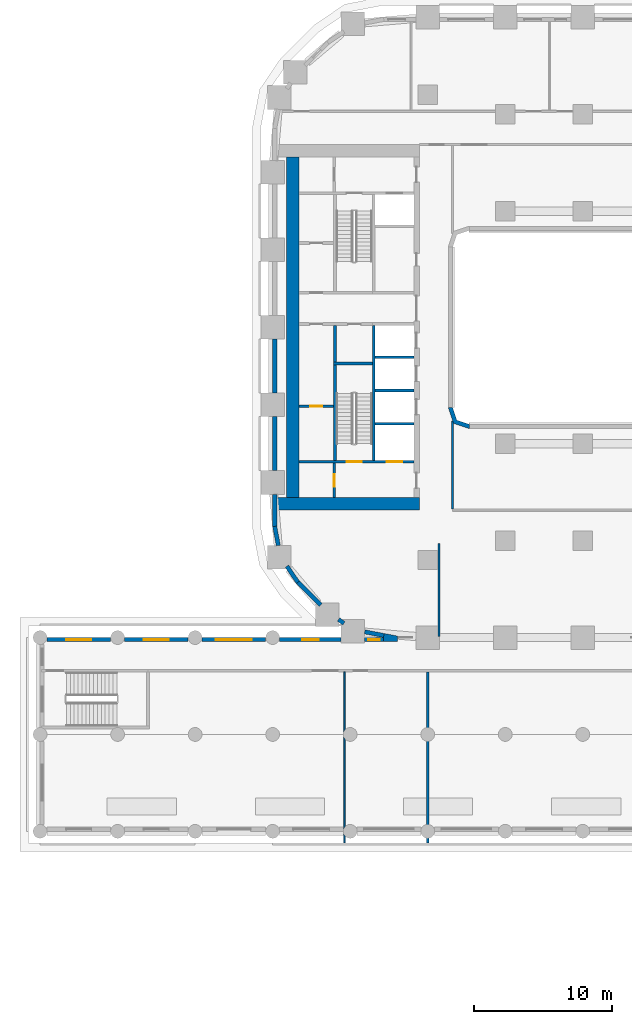
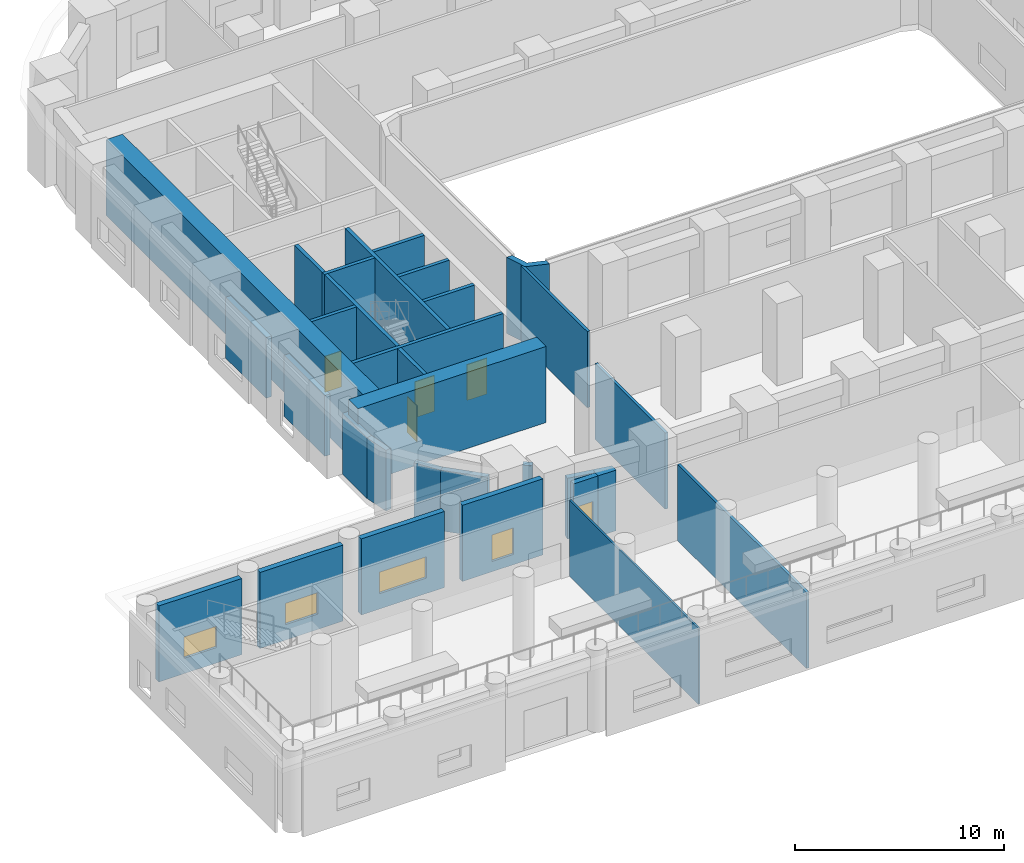
# One storey, part 20 of 35: 31 walls, 5 windows, 4 doors, 9 openings.
"""IFC4 building model written with IfcOpenShell, lengths in metres."""

from ifc_helpers import new_model, si_unit, direction, frame, frame_2d, origin, place, context, subcontext, project, spatial, polyline, rectangle, outline, extrude, material, layer, layer_set, type_object, element, fill, save


model = new_model("IFC4")

# Units and contexts
model_context = context("Model", 3, precision=1e-05, world=origin(), true_north=direction((0.0, 1.0)))
body_context = subcontext(model_context, "Body", "Model", "MODEL_VIEW")
ifc_project = project(units=[si_unit("LENGTHUNIT", "METRE"), si_unit("AREAUNIT", "SQUARE_METRE"), si_unit("VOLUMEUNIT", "CUBIC_METRE"), si_unit("PLANEANGLEUNIT", "RADIAN"), si_unit("MASSUNIT", "GRAM", prefix="KILO")], contexts=[model_context])

# Site, building, storey
site_placement = place(None, origin())
site = spatial("IfcSite", under=ifc_project, at=site_placement, CompositionType="ELEMENT")
building_placement = place(site_placement, origin())
building = spatial("IfcBuilding", under=site, at=building_placement, Name="Kiln Ring Residences", CompositionType="ELEMENT")
storey_placement = place(building_placement, frame((0.0, 0.0, 20.89990234375)))
storey = spatial("IfcBuildingStorey", under=building, at=storey_placement, Name="L04", CompositionType="ELEMENT", Elevation=20.89990234375)

# Wall
ifc_material_1 = material(Name="Gypsum board on steel studs", Category="steel")
ifc_layer_1 = layer(ifc_material_1, 0.199951171875)
ifc_layer_set_1 = layer_set([ifc_layer_1], Name="CORE-PARTITION-200")
wall_type_1 = type_object("IfcWallType", Name="CORE-PARTITION-200", PredefinedType="PARTITIONING", material=ifc_layer_set_1)
wall_1_placement = place(storey_placement, frame((-23.5, -2.5, 0.0), z_axis=(0.0, 0.0, 1.0), x_axis=(0.0, 1.0, 0.0)))
element("IfcWall", 1, at=wall_1_placement, inside=storey, type_object=wall_type_1, Name="Core partition west L04 1", PredefinedType="PARTITIONING", context=body_context, shape_type="SweptSolid", body=[
    extrude(rectangle(XDim=2.64990234375, YDim=0.199951171875, at=frame_2d((1.324951171875, 0.0))), origin(), (0.0, 0.0, 1.0), 4.4501953125),
])

# Wall, opening, door
wall_2_placement = place(storey_placement, frame((-23.550048828125, -12.300048828125, 0.0), z_axis=(0.0, 0.0, 1.0), x_axis=(0.0, 1.0, 0.0)))
wall_2 = element("IfcWall", 2, at=wall_2_placement, inside=storey, type_object=wall_type_1, Name="Core partition west L04 4", PredefinedType="PARTITIONING", context=body_context, shape_type="SweptSolid", body=[
    extrude(rectangle(XDim=2.5, YDim=0.199951171875, at=frame_2d((1.25, 0.0))), origin(), (0.0, 0.0, 1.0), 4.4501953125),
])
opening_1_placement = place(wall_2_placement, frame((0.800048828125, 0.0, 0.0)))
opening_1 = element("IfcOpeningElement", 3, at=opening_1_placement, cuts=wall_2, Name="Opening L04-CW10", PredefinedType="OPENING", context=body_context, shape_type="SweptSolid", body=[
    extrude(rectangle(XDim=0.89990234375, YDim=2.10009765625, at=frame_2d((0.449951171875, 1.050048828125))), frame((0.0, 0.10986328125, 0.0), z_axis=(0.0, -1.0, 0.0), x_axis=(1.0, 0.0, 0.0)), (0.0, 0.0, 1.0), 0.219970703125),
])
ifc_material_2 = material(Name="Steel door leaf", Category="steel")
door_type_1 = type_object("IfcDoorType", Name="CORE-DOOR-ROOM", OperationType="SINGLE_SWING_LEFT", PredefinedType="DOOR", material=ifc_material_2)
door_1_placement = place(opening_1_placement, origin())
door_1 = element("IfcDoor", 4, at=door_1_placement, inside=storey, type_object=door_type_1, Name="Store L04-CW10", OperationType="SINGLE_SWING_RIGHT", OverallHeight=2.10009765625, OverallWidth=0.89990234375, PredefinedType="DOOR", context=body_context, shape_type="SweptSolid", body=[
    extrude(rectangle(XDim=0.89990234375, YDim=2.10009765625, at=frame_2d((0.449951171875, 1.050048828125))), frame((0.0, 0.02490234375, 0.0), z_axis=(0.0, -1.0, 0.0), x_axis=(1.0, 0.0, 0.0)), (0.0, 0.0, 1.0), 0.050048828125),
])
fill(opening_1, door_1)

wall_3_placement = place(storey_placement, frame((-23.60009765625, -5.699951171875, 0.0), z_axis=(0.0, 0.0, 1.0), x_axis=(-1.0, 0.0, 0.0)))
wall_3 = element("IfcWall", 5, at=wall_3_placement, inside=storey, type_object=wall_type_1, Name="Core partition west L04 5", PredefinedType="PARTITIONING", context=body_context, shape_type="SweptSolid", body=[
    extrude(rectangle(XDim=2.5, YDim=0.199951171875, at=frame_2d((1.25, 0.0))), origin(), (0.0, 0.0, 1.0), 4.4501953125),
])
opening_2_placement = place(wall_3_placement, frame((0.800048828125, 0.0, 0.0)))
opening_2 = element("IfcOpeningElement", 6, at=opening_2_placement, cuts=wall_3, Name="Opening L04-CW15", PredefinedType="OPENING", context=body_context, shape_type="SweptSolid", body=[
    extrude(rectangle(XDim=0.89990234375, YDim=2.10009765625, at=frame_2d((0.449951171875, 1.050048828125))), frame((0.0, 0.10986328125, 0.0), z_axis=(0.0, -1.0, 0.0), x_axis=(1.0, 0.0, 0.0)), (0.0, 0.0, 1.0), 0.219970703125),
])
door_2_placement = place(opening_2_placement, origin())
door_2 = element("IfcDoor", 7, at=door_2_placement, inside=storey, type_object=door_type_1, Name="Battery room L04-CW15", OperationType="SINGLE_SWING_RIGHT", OverallHeight=2.10009765625, OverallWidth=0.89990234375, PredefinedType="DOOR", context=body_context, shape_type="SweptSolid", body=[
    extrude(rectangle(XDim=0.89990234375, YDim=2.10009765625, at=frame_2d((0.449951171875, 1.050048828125))), frame((0.0, 0.02490234375, 0.0), z_axis=(0.0, -1.0, 0.0), x_axis=(1.0, 0.0, 0.0)), (0.0, 0.0, 1.0), 0.050048828125),
])
fill(opening_2, door_2)

# Walls
ifc_material_3 = material(Name="Gypsum shaft wall system")
ifc_layer_2 = layer(ifc_material_3, 0.199951171875)
ifc_layer_set_2 = layer_set([ifc_layer_2], Name="CORE-SHAFT-WALL-200")
wall_type_2 = type_object("IfcWallType", Name="CORE-SHAFT-WALL-200", PredefinedType="PARTITIONING", material=ifc_layer_set_2)
for number, where, z_axis, x_axis, name in (
    (8, (-17.800048828125, -6.949951171875, 0.0), (0.0, 0.0, 1.0), (-1.0, 0.0, 0.0), "Core partition west L04 7"),
    (9, (-17.800048828125, -4.550048828125, 0.0), (0.0, 0.0, 1.0), (-1.0, 0.0, 0.0), "Core partition west L04 8"),
    (10, (-17.800048828125, -2.14990234375, 0.0), (0.0, 0.0, 1.0), (-1.0, 0.0, 0.0), "Core partition west L04 9"),
):
    element("IfcWall", number, at=place(storey_placement, frame(where, z_axis=z_axis, x_axis=x_axis)), inside=storey, type_object=wall_type_2, Name=name, PredefinedType="PARTITIONING", context=body_context, shape_type="SweptSolid", body=[
        extrude(rectangle(XDim=2.800048828125, YDim=0.199951171875, at=frame_2d((1.39990234375, 0.0))), origin(), (0.0, 0.0, 1.0), 4.4501953125),
    ])
ifc_material_4 = material(Name="Concrete C40/50", Category="concrete")
ifc_layer_3 = layer(ifc_material_4, 0.199951171875)
ifc_layer_set_3 = layer_set([ifc_layer_3], Name="CORE-WALL-RC200")
wall_type_3 = type_object("IfcWallType", Name="CORE-WALL-RC200", PredefinedType="SHEAR", material=ifc_layer_set_3)
wall_4_placement = place(storey_placement, frame((-20.699951171875, -9.60009765625, 0.0), z_axis=(0.0, 0.0, 1.0), x_axis=(0.0, 1.0, 0.0)))
element("IfcWall", 11, at=wall_4_placement, inside=storey, type_object=wall_type_3, Name="Core wall west L04 2", PredefinedType="SHEAR", context=body_context, shape_type="SweptSolid", body=[
    extrude(rectangle(XDim=9.75, YDim=0.199951171875, at=frame_2d((4.875, 0.0))), origin(), (0.0, 0.0, 1.0), 4.4501953125),
])

# Wall, openings, doors
wall_5_placement = place(storey_placement, frame((-17.800048828125, -9.699951171875, 0.0), z_axis=(0.0, 0.0, 1.0), x_axis=(-1.0, 0.0, 0.0)))
wall_5 = element("IfcWall", 12, at=wall_5_placement, inside=storey, type_object=wall_type_3, Name="Core wall west L04 8", PredefinedType="SHEAR", context=body_context, shape_type="SweptSolid", body=[
    extrude(rectangle(XDim=8.300048828125, YDim=0.199951171875, at=frame_2d((4.14990234375, 0.0))), origin(), (0.0, 0.0, 1.0), 4.4501953125),
])
opening_3_placement = place(wall_5_placement, frame((0.85009765625, 0.0, 0.0)))
opening_3 = element("IfcOpeningElement", 13, at=opening_3_placement, cuts=wall_5, Name="Opening L04-CW01", PredefinedType="OPENING", context=body_context, shape_type="SweptSolid", body=[
    extrude(rectangle(XDim=1.10009765625, YDim=2.10009765625, at=frame_2d((0.550048828125, 1.050048828125))), frame((0.0, 0.10986328125, 0.0), z_axis=(0.0, -1.0, 0.0), x_axis=(1.0, 0.0, 0.0)), (0.0, 0.0, 1.0), 0.219970703125),
])
opening_4_placement = place(wall_5_placement, frame((3.75, 0.0, 0.0)))
opening_4 = element("IfcOpeningElement", 14, at=opening_4_placement, cuts=wall_5, Name="Opening L04-CW12", PredefinedType="OPENING", context=body_context, shape_type="SweptSolid", body=[
    extrude(rectangle(XDim=1.10009765625, YDim=2.10009765625, at=frame_2d((0.550048828125, 1.050048828125))), frame((0.0, 0.10986328125, 0.0), z_axis=(0.0, -1.0, 0.0), x_axis=(1.0, 0.0, 0.0)), (0.0, 0.0, 1.0), 0.219970703125),
])
ifc_material_5 = material(Name="Steel door leaf", Category="steel")
door_type_2 = type_object("IfcDoorType", Name="CORE-DOOR-LD", OperationType="DOUBLE_DOOR_SLIDING", PredefinedType="DOOR", material=ifc_material_5)
door_3_placement = place(opening_3_placement, origin())
door_3 = element("IfcDoor", 15, at=door_3_placement, inside=storey, type_object=door_type_2, Name="LD W-SV L04-CW01", OperationType="DOUBLE_DOOR_SLIDING", OverallHeight=2.10009765625, OverallWidth=1.10009765625, PredefinedType="DOOR", context=body_context, shape_type="SweptSolid", body=[
    extrude(rectangle(XDim=1.10009765625, YDim=2.10009765625, at=frame_2d((0.550048828125, 1.050048828125))), frame((0.0, 0.02490234375, 0.0), z_axis=(0.0, -1.0, 0.0), x_axis=(1.0, 0.0, 0.0)), (0.0, 0.0, 1.0), 0.050048828125),
])
fill(opening_3, door_3)
ifc_material_6 = material(Name="Steel door leaf", Category="steel")
door_type_3 = type_object("IfcDoorType", Name="CORE-DOOR-STAIR", OperationType="SINGLE_SWING_LEFT", PredefinedType="DOOR", material=ifc_material_6)
door_4_placement = place(opening_4_placement, origin())
door_4 = element("IfcDoor", 16, at=door_4_placement, inside=storey, type_object=door_type_3, Name="Stair W-STS L04-CW12", OperationType="SINGLE_SWING_LEFT", OverallHeight=2.10009765625, OverallWidth=1.10009765625, PredefinedType="DOOR", context=body_context, shape_type="SweptSolid", body=[
    extrude(rectangle(XDim=1.10009765625, YDim=2.10009765625, at=frame_2d((0.550048828125, 1.050048828125))), frame((0.0, 0.02490234375, 0.0), z_axis=(0.0, -1.0, 0.0), x_axis=(1.0, 0.0, 0.0)), (0.0, 0.0, 1.0), 0.050048828125),
])
fill(opening_4, door_4)

# Walls
wall_6_placement = place(storey_placement, frame((-23.5, -9.60009765625, 0.0), z_axis=(0.0, 0.0, 1.0), x_axis=(0.0, 1.0, 0.0)))
element("IfcWall", 17, at=wall_6_placement, inside=storey, type_object=wall_type_3, Name="Core wall west L04 11", PredefinedType="SHEAR", context=body_context, shape_type="SweptSolid", body=[
    extrude(rectangle(XDim=6.900146484375, YDim=0.199951171875, at=frame_2d((3.4501953125, 0.0))), origin(), (0.0, 0.0, 1.0), 4.4501953125),
])
wall_7_placement = place(storey_placement, frame((-20.800048828125, -2.60009765625, 0.0), z_axis=(0.0, 0.0, 1.0), x_axis=(-1.0, 0.0, 0.0)))
element("IfcWall", 18, at=wall_7_placement, inside=storey, type_object=wall_type_3, Name="Core wall west L04 12", PredefinedType="SHEAR", context=body_context, shape_type="SweptSolid", body=[
    extrude(rectangle(XDim=2.800048828125, YDim=0.199951171875, at=frame_2d((1.39990234375, 0.0))), origin(), (0.0, 0.0, 1.0), 4.4501953125),
])
ifc_material_7 = material(Name="Concrete C60/75", Category="concrete")
ifc_layer_4 = layer(ifc_material_7, 0.89990234375)
ifc_layer_set_4 = layer_set([ifc_layer_4], Name="CORE-WALL-RC900")
wall_type_4 = type_object("IfcWallType", Name="CORE-WALL-RC900", PredefinedType="SHEAR", material=ifc_layer_set_4)
wall_8_placement = place(storey_placement, frame((-17.39990234375, -12.75, 0.0), z_axis=(0.0, 0.0, 1.0), x_axis=(-1.0, 0.0, 0.0)))
element("IfcWall", 19, at=wall_8_placement, inside=storey, type_object=wall_type_4, Name="Core wall west L04 5", PredefinedType="SHEAR", context=body_context, shape_type="SweptSolid", body=[
    extrude(rectangle(XDim=10.400146484375, YDim=0.89990234375, at=frame_2d((5.2001953125, 0.0))), origin(), (0.0, 0.0, 1.0), 4.4501953125),
])
wall_9_placement = place(storey_placement, frame((-26.550048828125, -12.300048828125, 0.0), z_axis=(0.0, 0.0, 1.0), x_axis=(0.0, 1.0, 0.0)))
element("IfcWall", 20, at=wall_9_placement, inside=storey, type_object=wall_type_4, Name="Core wall west L04 7", PredefinedType="SHEAR", context=body_context, shape_type="SweptSolid", body=[
    extrude(rectangle(XDim=24.60009765625, YDim=0.89990234375, at=frame_2d((12.300048828125, 0.0))), origin(), (0.0, 0.0, 1.0), 4.4501953125),
])
ifc_material_8 = material(Name="Brick masonry, dark clay brick", Category="masonry")
ifc_layer_5 = layer(ifc_material_8, 0.300048828125)
ifc_layer_set_5 = layer_set([ifc_layer_5], Name="EW-300 BRICK WALL")
wall_type_5 = type_object("IfcWallType", Name="EW-300 BRICK WALL", PredefinedType="SOLIDWALL", material=ifc_layer_set_5)
wall_10_placement = place(storey_placement, frame((-27.85009765625, -0.85009765625, 0.0), z_axis=(0.0, 0.0, 1.0), x_axis=(0.0, -1.0, 0.0)))
element("IfcWall", 21, at=wall_10_placement, inside=storey, type_object=wall_type_5, Name="Facade wall L04 40", PredefinedType="SOLIDWALL", context=body_context, shape_type="SweptSolid", body=[
    extrude(rectangle(XDim=3.89990234375, YDim=0.300048828125, at=frame_2d((1.949951171875, 0.0))), origin(), (0.0, 0.0, 1.0), 3.550048828125),
])
wall_11_placement = place(storey_placement, frame((-27.85009765625, -6.449951171875, 0.0), z_axis=(0.0, 0.0, 1.0), x_axis=(0.0, -1.0, 0.0)))
element("IfcWall", 22, at=wall_11_placement, inside=storey, type_object=wall_type_5, Name="Facade wall L04 41", PredefinedType="SOLIDWALL", context=body_context, shape_type="SweptSolid", body=[
    extrude(rectangle(XDim=3.900146484375, YDim=0.300048828125, at=frame_2d((1.9501953125, 0.0))), origin(), (0.0, 0.0, 1.0), 3.550048828125),
])
wall_12_placement = place(storey_placement, frame((-27.85009765625, -12.050048828125, 0.0), z_axis=(0.0, 0.0, 1.0), x_axis=(0.0, -1.0, 0.0)))
element("IfcWall", 23, at=wall_12_placement, inside=storey, type_object=wall_type_5, Name="Facade wall L04 42", PredefinedType="SOLIDWALL", context=body_context, shape_type="SweptSolid", body=[
    extrude(rectangle(XDim=2.349853515625, YDim=0.300048828125, at=frame_2d((1.1748046875, 0.0))), origin(), (0.0, 0.0, 1.0), 3.550048828125),
])
for number, where, z_axis, x_axis, name in (
    (24, (-27.8525390625, -14.371826171875, 0.0), (0.0, 0.0, 1.0), (0.187327504018, -0.982297514116, 0.0), "Facade wall L04 43"),
    (25, (-26.96923828125, -17.249755859375, 0.0), (0.0, 0.0, 1.0), (0.562010802008, -0.827129892112, 0.0), "Facade wall L04 44"),
):
    element("IfcWall", number, at=place(storey_placement, frame(where, z_axis=z_axis, x_axis=x_axis)), inside=storey, type_object=wall_type_5, Name=name, PredefinedType="SOLIDWALL", context=body_context, shape_type="SweptSolid", body=[
        extrude(rectangle(XDim=1.40625, YDim=0.300048828125, at=frame_2d((0.703125, 0.0))), origin(), (0.0, 0.0, 1.0), 3.550048828125),
    ])
wall_13_placement = place(storey_placement, frame((-26.19677734375, -18.390869140625, 0.0), z_axis=(0.0, 0.0, 1.0), x_axis=(0.707054835785, -0.707158722772, 0.0)))
element("IfcWall", 26, at=wall_13_placement, inside=storey, type_object=wall_type_5, Name="Facade wall L04 45", PredefinedType="SOLIDWALL", context=body_context, shape_type="SweptSolid", body=[
    extrude(rectangle(XDim=2.35009765625, YDim=0.300048828125, at=frame_2d((1.175048828125, 0.0))), origin(), (0.0, 0.0, 1.0), 3.550048828125),
])
wall_14_placement = place(storey_placement, frame((-23.244384765625, -21.10107421875, 0.0), z_axis=(0.0, 0.0, 1.0), x_axis=(0.827135885329, -0.562001981492, 0.0)))
element("IfcWall", 27, at=wall_14_placement, inside=storey, type_object=wall_type_5, Name="Facade wall L04 46", PredefinedType="SOLIDWALL", context=body_context, shape_type="SweptSolid", body=[
    extrude(rectangle(XDim=0.47705078125, YDim=0.300048828125, at=frame_2d((0.238525390625, 0.0))), origin(), (0.0, 0.0, 1.0), 4.4501953125),
])
wall_15_placement = place(storey_placement, frame((-21.35302734375, -21.9892578125, 0.0), z_axis=(0.0, 0.0, 1.0), x_axis=(0.98229142023, -0.187359455971, 0.0)))
element("IfcWall", 28, at=wall_15_placement, inside=storey, type_object=wall_type_5, Name="Facade wall L04 47", PredefinedType="SOLIDWALL", context=body_context, shape_type="SweptSolid", body=[
    extrude(rectangle(XDim=1.406005859375, YDim=0.300048828125, at=frame_2d((0.703125, 0.0))), origin(), (0.0, 0.0, 1.0), 3.550048828125),
])

# Wall, opening, window
wall_16_placement = place(storey_placement, frame((-20.0, -22.550048828125, 0.0), z_axis=(0.0, 0.0, 1.0), x_axis=(-1.0, 0.0, 0.0)))
wall_16 = element("IfcWall", 29, at=wall_16_placement, inside=storey, type_object=wall_type_5, Name="Facade wall L04 48", PredefinedType="SOLIDWALL", context=body_context, shape_type="SweptSolid", body=[
    extrude(rectangle(XDim=1.358642578125, YDim=0.300048828125, at=frame_2d((0.67919921875, 0.0))), origin(), (0.0, 0.0, 1.0), 3.550048828125),
])
opening_5_placement = place(wall_16_placement, frame((0.279296875, 0.0, 0.60009765625)))
opening_5 = element("IfcOpeningElement", 30, at=opening_5_placement, cuts=wall_16, Name="Opening W5", PredefinedType="OPENING", context=body_context, shape_type="SweptSolid", body=[
    extrude(rectangle(XDim=0.800048828125, YDim=1.550048828125, at=frame_2d((0.39990234375, 0.77490234375))), frame((0.0, 0.159912109375, 0.0), z_axis=(0.0, -1.0, 0.0), x_axis=(1.0, 0.0, 0.0)), (0.0, 0.0, 1.0), 0.320068359375),
])
ifc_material_9 = material(Name="Aluminium frame with double glazing", Category="aluminium")
window_type_1 = type_object("IfcWindowType", Name="WINDOW 800 x 1550", PartitioningType="SINGLE_PANEL", PredefinedType="WINDOW", material=ifc_material_9)
window_1_placement = place(opening_5_placement, origin())
window_1 = element("IfcWindow", 31, at=window_1_placement, inside=storey, type_object=window_type_1, Name="Window L04 21", OverallHeight=1.550048828125, OverallWidth=0.800048828125, PartitioningType="SINGLE_PANEL", PredefinedType="WINDOW", context=body_context, shape_type="SweptSolid", body=[
    extrude(rectangle(XDim=0.800048828125, YDim=1.550048828125, at=frame_2d((0.39990234375, 0.77490234375))), frame((0.0, 0.030029296875, 0.0), z_axis=(0.0, -1.0, 0.0), x_axis=(1.0, 0.0, 0.0)), (0.0, 0.0, 1.0), 0.06005859375),
])
fill(opening_5, window_1)

wall_17_placement = place(storey_placement, frame((-23.05859375, -22.550048828125, 0.0), z_axis=(0.0, 0.0, 1.0), x_axis=(-1.0, 0.0, 0.0)))
wall_17 = element("IfcWall", 32, at=wall_17_placement, inside=storey, type_object=wall_type_5, Name="Facade wall L04 49", PredefinedType="SOLIDWALL", context=body_context, shape_type="SweptSolid", body=[
    extrude(rectangle(XDim=4.44140625, YDim=0.300048828125, at=frame_2d((2.220703125, 0.0))), origin(), (0.0, 0.0, 1.0), 4.4501953125),
])
opening_6_placement = place(wall_17_placement, frame((1.62060546875, 0.0, 0.60009765625)))
opening_6 = element("IfcOpeningElement", 33, at=opening_6_placement, cuts=wall_17, Name="Opening W1", PredefinedType="OPENING", context=body_context, shape_type="SweptSolid", body=[
    extrude(rectangle(XDim=1.199951171875, YDim=1.550048828125, at=frame_2d((0.60009765625, 0.77490234375))), frame((0.0, 0.159912109375, 0.0), z_axis=(0.0, -1.0, 0.0), x_axis=(1.0, 0.0, 0.0)), (0.0, 0.0, 1.0), 0.320068359375),
])
ifc_material_10 = material(Name="Aluminium frame with double glazing", Category="aluminium")
window_type_2 = type_object("IfcWindowType", Name="WINDOW 1200 x 1550", PartitioningType="SINGLE_PANEL", PredefinedType="WINDOW", material=ifc_material_10)
window_2_placement = place(opening_6_placement, origin())
window_2 = element("IfcWindow", 34, at=window_2_placement, inside=storey, type_object=window_type_2, Name="Window L04 22", OverallHeight=1.550048828125, OverallWidth=1.199951171875, PartitioningType="SINGLE_PANEL", PredefinedType="WINDOW", context=body_context, shape_type="SweptSolid", body=[
    extrude(rectangle(XDim=1.199951171875, YDim=1.550048828125, at=frame_2d((0.60009765625, 0.77490234375))), frame((0.0, 0.030029296875, 0.0), z_axis=(0.0, -1.0, 0.0), x_axis=(1.0, 0.0, 0.0)), (0.0, 0.0, 1.0), 0.06005859375),
])
fill(opening_6, window_2)

wall_18_placement = place(storey_placement, frame((-28.5, -22.550048828125, 0.0), z_axis=(0.0, 0.0, 1.0), x_axis=(-1.0, 0.0, 0.0)))
wall_18 = element("IfcWall", 35, at=wall_18_placement, inside=storey, type_object=wall_type_5, Name="Facade wall L04 50", PredefinedType="SOLIDWALL", context=body_context, shape_type="SweptSolid", body=[
    extrude(rectangle(XDim=4.60009765625, YDim=0.300048828125, at=frame_2d((2.300048828125, 0.0))), origin(), (0.0, 0.0, 1.0), 4.4501953125),
])
opening_7_placement = place(wall_18_placement, frame((1.0, 0.0, 0.89990234375)))
opening_7 = element("IfcOpeningElement", 36, at=opening_7_placement, cuts=wall_18, Name="Opening W3", PredefinedType="OPENING", context=body_context, shape_type="SweptSolid", body=[
    extrude(rectangle(XDim=2.60009765625, YDim=1.25, at=frame_2d((1.300048828125, 0.625))), frame((0.0, 0.159912109375, 0.0), z_axis=(0.0, -1.0, 0.0), x_axis=(1.0, 0.0, 0.0)), (0.0, 0.0, 1.0), 0.320068359375),
])
ifc_material_11 = material(Name="Aluminium frame with double glazing", Category="aluminium")
window_type_3 = type_object("IfcWindowType", Name="WINDOW 2600 x 1250", PartitioningType="SINGLE_PANEL", PredefinedType="WINDOW", material=ifc_material_11)
window_3_placement = place(opening_7_placement, origin())
window_3 = element("IfcWindow", 37, at=window_3_placement, inside=storey, type_object=window_type_3, Name="Window L04 23", OverallHeight=1.25, OverallWidth=2.60009765625, PartitioningType="SINGLE_PANEL", PredefinedType="WINDOW", context=body_context, shape_type="SweptSolid", body=[
    extrude(rectangle(XDim=2.60009765625, YDim=1.25, at=frame_2d((1.300048828125, 0.625))), frame((0.0, 0.030029296875, 0.0), z_axis=(0.0, -1.0, 0.0), x_axis=(1.0, 0.0, 0.0)), (0.0, 0.0, 1.0), 0.06005859375),
])
fill(opening_7, window_3)

wall_19_placement = place(storey_placement, frame((-34.10009765625, -22.550048828125, 0.0), z_axis=(0.0, 0.0, 1.0), x_axis=(-1.0, 0.0, 0.0)))
wall_19 = element("IfcWall", 38, at=wall_19_placement, inside=storey, type_object=wall_type_5, Name="Facade wall L04 51", PredefinedType="SOLIDWALL", context=body_context, shape_type="SweptSolid", body=[
    extrude(rectangle(XDim=4.599853515625, YDim=0.300048828125, at=frame_2d((2.2998046875, 0.0))), origin(), (0.0, 0.0, 1.0), 4.4501953125),
])
opening_8_placement = place(wall_19_placement, frame((1.39990234375, 0.0, 0.89990234375)))
opening_8 = element("IfcOpeningElement", 39, at=opening_8_placement, cuts=wall_19, Name="Opening W2", PredefinedType="OPENING", context=body_context, shape_type="SweptSolid", body=[
    extrude(rectangle(XDim=1.800048828125, YDim=1.25, at=frame_2d((0.89990234375, 0.625))), frame((0.0, 0.159912109375, 0.0), z_axis=(0.0, -1.0, 0.0), x_axis=(1.0, 0.0, 0.0)), (0.0, 0.0, 1.0), 0.320068359375),
])
ifc_material_12 = material(Name="Aluminium frame with double glazing", Category="aluminium")
window_type_4 = type_object("IfcWindowType", Name="WINDOW 1800 x 1250", PartitioningType="SINGLE_PANEL", PredefinedType="WINDOW", material=ifc_material_12)
window_4_placement = place(opening_8_placement, origin())
window_4 = element("IfcWindow", 40, at=window_4_placement, inside=storey, type_object=window_type_4, Name="Window L04 24", OverallHeight=1.25, OverallWidth=1.800048828125, PartitioningType="SINGLE_PANEL", PredefinedType="WINDOW", context=body_context, shape_type="SweptSolid", body=[
    extrude(rectangle(XDim=1.800048828125, YDim=1.25, at=frame_2d((0.89990234375, 0.625))), frame((0.0, 0.030029296875, 0.0), z_axis=(0.0, -1.0, 0.0), x_axis=(1.0, 0.0, 0.0)), (0.0, 0.0, 1.0), 0.06005859375),
])
fill(opening_8, window_4)

wall_20_placement = place(storey_placement, frame((-39.699951171875, -22.550048828125, 0.0), z_axis=(0.0, 0.0, 1.0), x_axis=(-1.0, 0.0, 0.0)))
wall_20 = element("IfcWall", 41, at=wall_20_placement, inside=storey, type_object=wall_type_5, Name="Facade wall L04 52", PredefinedType="SOLIDWALL", context=body_context, shape_type="SweptSolid", body=[
    extrude(rectangle(XDim=4.60009765625, YDim=0.300048828125, at=frame_2d((2.300048828125, 0.0))), origin(), (0.0, 0.0, 1.0), 4.4501953125),
])
opening_9_placement = place(wall_20_placement, frame((1.39990234375, 0.0, 0.89990234375)))
opening_9 = element("IfcOpeningElement", 42, at=opening_9_placement, cuts=wall_20, Name="Opening W2", PredefinedType="OPENING", context=body_context, shape_type="SweptSolid", body=[
    extrude(rectangle(XDim=1.800048828125, YDim=1.25, at=frame_2d((0.89990234375, 0.625))), frame((0.0, 0.159912109375, 0.0), z_axis=(0.0, -1.0, 0.0), x_axis=(1.0, 0.0, 0.0)), (0.0, 0.0, 1.0), 0.320068359375),
])
window_5_placement = place(opening_9_placement, origin())
window_5 = element("IfcWindow", 43, at=window_5_placement, inside=storey, type_object=window_type_4, Name="Window L04 25", OverallHeight=1.25, OverallWidth=1.800048828125, PartitioningType="SINGLE_PANEL", PredefinedType="WINDOW", context=body_context, shape_type="SweptSolid", body=[
    extrude(rectangle(XDim=1.800048828125, YDim=1.25, at=frame_2d((0.89990234375, 0.625))), frame((0.0, 0.030029296875, 0.0), z_axis=(0.0, -1.0, 0.0), x_axis=(1.0, 0.0, 0.0)), (0.0, 0.0, 1.0), 0.06005859375),
])
fill(opening_9, window_5)

# Walls
placement = place(storey_placement, origin())
element("IfcWall", 44, at=placement, inside=storey, type_object=wall_type_5, Name="Corner wall L04 2", PredefinedType="SOLIDWALL", context=body_context, shape_type="SweptSolid", body=[
    extrude(outline(polyline([(-20.0, -22.699951171875), (-19.0, -22.699951171875), (-19.0, -22.285400390625), (-19.94384765625, -22.105224609375), (-20.0, -22.39990234375), (-20.0, -22.699951171875)])), origin(), (0.0, 0.0, 1.0), 3.550048828125),
])
element("IfcWall", 45, at=placement, inside=storey, type_object=wall_type_5, Name="Corner wall L04 6", PredefinedType="SOLIDWALL", context=body_context, shape_type="SweptSolid", body=[
    extrude(outline(polyline([(-14.937255859375, -6.937255859375), (-13.8486328125, -7.300048828125), (-13.800048828125, -7.300048828125), (-13.800048828125, -7.0), (-14.699951171875, -6.699951171875), (-15.0, -5.800048828125), (-15.300048828125, -5.800048828125), (-15.300048828125, -5.8486328125), (-14.937255859375, -6.937255859375)])), origin(), (0.0, 0.0, 1.0), 4.4501953125),
])
ifc_material_13 = material(Name="Gypsum board on steel studs", Category="steel")
ifc_layer_6 = layer(ifc_material_13, 0.10009765625)
ifc_layer_set_6 = layer_set([ifc_layer_6], Name="PARTITION-100")
wall_type_6 = type_object("IfcWallType", Name="PARTITION-100", PredefinedType="PARTITIONING", material=ifc_layer_set_6)
wall_23_placement = place(storey_placement, frame((-22.800048828125, -37.22998046875, 0.0), z_axis=(0.0, 0.0, 1.0), x_axis=(0.0, 1.0, 0.0)))
element("IfcWall", 46, at=wall_23_placement, inside=storey, type_object=wall_type_6, Name="Partition 010", PredefinedType="PARTITIONING", context=body_context, shape_type="SweptSolid", body=[
    extrude(rectangle(XDim=12.35498046875, YDim=0.10009765625, at=frame_2d((6.177490234375, 0.0))), origin(), (0.0, 0.0, 1.0), 4.4501953125),
])
ifc_material_14 = material(Name="Brick masonry partition", Category="masonry")
ifc_layer_7 = layer(ifc_material_14, 0.14990234375)
ifc_layer_set_7 = layer_set([ifc_layer_7], Name="PARTITION-150-ei60")
wall_type_7 = type_object("IfcWallType", Name="PARTITION-150-ei60", PredefinedType="PARTITIONING", material=ifc_layer_set_7)
wall_24_placement = place(storey_placement, frame((-16.800048828125, -37.22998046875, 0.0), z_axis=(0.0, 0.0, 1.0), x_axis=(0.0, 1.0, 0.0)))
element("IfcWall", 47, at=wall_24_placement, inside=storey, type_object=wall_type_7, Name="Partition 012", PredefinedType="PARTITIONING", context=body_context, shape_type="SweptSolid", body=[
    extrude(rectangle(XDim=12.35498046875, YDim=0.14990234375, at=frame_2d((6.177490234375, 0.0))), origin(), (0.0, 0.0, 1.0), 4.4501953125),
])
wall_25_placement = place(storey_placement, frame((-16.0, -22.324951171875, 0.0), z_axis=(0.0, 0.0, 1.0), x_axis=(0.0, 1.0, 0.0)))
element("IfcWall", 48, at=wall_25_placement, inside=storey, type_object=wall_type_7, Name="Partition 013", PredefinedType="PARTITIONING", context=body_context, shape_type="SweptSolid", body=[
    extrude(rectangle(XDim=6.724853515625, YDim=0.14990234375, at=frame_2d((3.3623046875, 0.0))), origin(), (0.0, 0.0, 1.0), 4.4501953125),
])
wall_26_placement = place(storey_placement, frame((-15.0, -13.125, 0.0), z_axis=(0.0, 0.0, 1.0), x_axis=(0.0, 1.0, 0.0)))
element("IfcWall", 49, at=wall_26_placement, inside=storey, type_object=wall_type_7, Name="Partition 014", PredefinedType="PARTITIONING", context=body_context, shape_type="SweptSolid", body=[
    extrude(rectangle(XDim=6.356201171875, YDim=0.14990234375, at=frame_2d((3.17822265625, 0.0))), origin(), (0.0, 0.0, 1.0), 4.4501953125),
])

save(model, "model.ifc")
